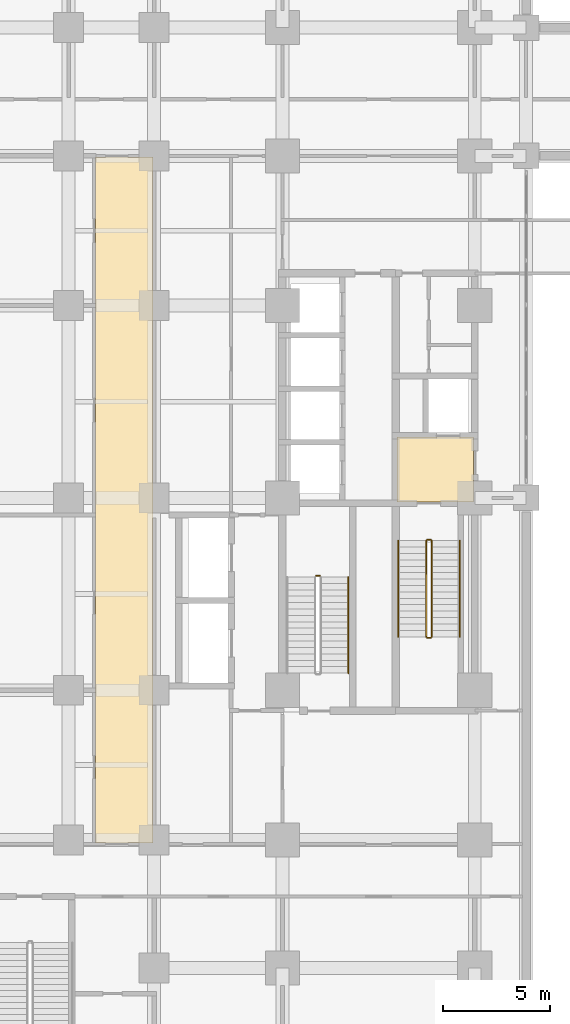
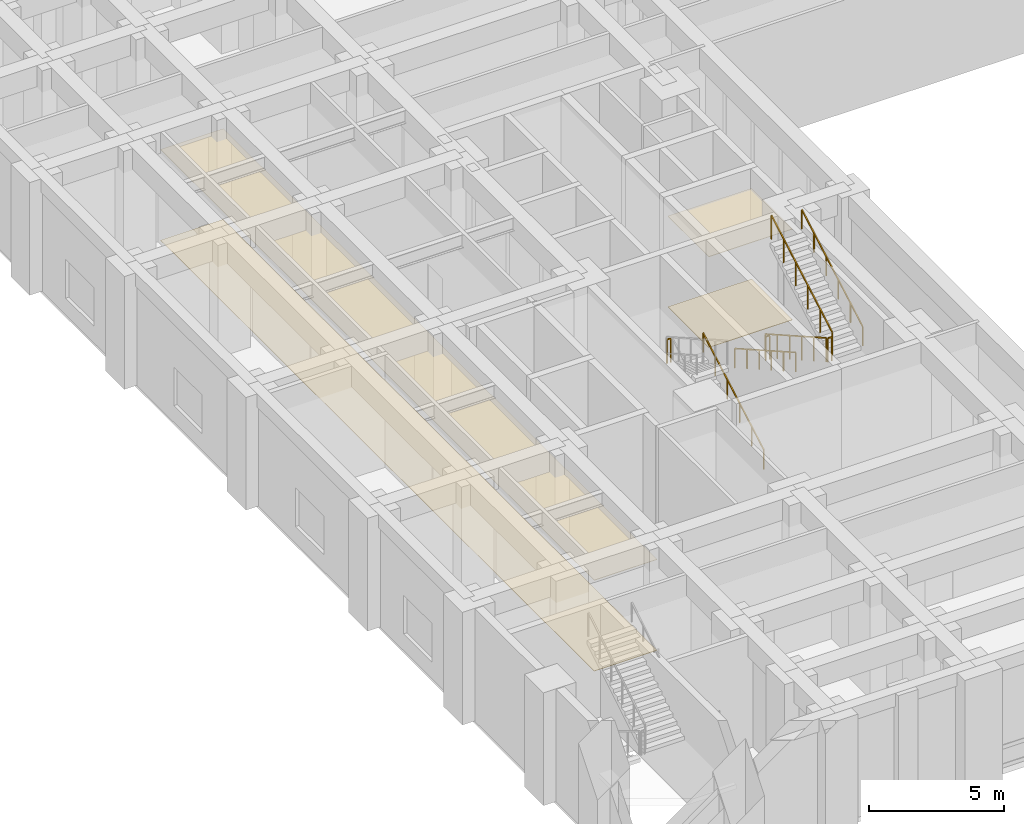
# One storey, part 17 of 21: 8 railings, 4 coverings.
"""IFC4 building model written with IfcOpenShell, lengths in metres."""

from ifc_helpers import new_model, si_unit, direction, frame, origin, origin_2d, place, context, subcontext, project, spatial, polyline, rectangle, outline, extrude, material, layer, layer_set, type_object, element, save


model = new_model("IFC4")

# Units and contexts
model_context = context("Model", 3, precision=1e-05, world=origin(), true_north=direction((0.0, 1.0)))
body_context = subcontext(model_context, "Body", "Model", "MODEL_VIEW")
ifc_project = project(units=[si_unit("LENGTHUNIT", "METRE"), si_unit("AREAUNIT", "SQUARE_METRE"), si_unit("VOLUMEUNIT", "CUBIC_METRE"), si_unit("PLANEANGLEUNIT", "RADIAN"), si_unit("MASSUNIT", "GRAM", prefix="KILO")], contexts=[model_context])

# Site, building, storey
site_placement = place(None, origin())
site = spatial("IfcSite", under=ifc_project, at=site_placement, CompositionType="ELEMENT")
building_placement = place(site_placement, origin())
building = spatial("IfcBuilding", under=site, at=building_placement, Name="Zulmaris Gate Convention Tower", CompositionType="ELEMENT")
storey_placement = place(building_placement, frame((0.0, 0.0, 5.43994140625)))
storey = spatial("IfcBuildingStorey", under=building, at=storey_placement, Name="L01", CompositionType="ELEMENT", Elevation=5.43994140625)

# Coverings
ifc_material_1 = material(Name="Mineral Fibre Acoustic Ceiling Tile")
ifc_layer_1 = layer(ifc_material_1, 0.02001953125, Name="Mineral Fibre Acoustic Ceiling Tile")
ifc_layer_set_1 = layer_set([ifc_layer_1], Name="Mineral Fibre Acoustic Ceiling Tile")
covering_type_1 = type_object("IfcCoveringType", Name="CLG-ACOUSTIC-600", PredefinedType="CEILING", material=ifc_layer_set_1)
covering_1_placement = place(storey_placement, frame((0.0, 0.0, 4.099853515625)))
element("IfcCovering", 1, at=covering_1_placement, inside=storey, type_object=covering_type_1, Name="CLG-L01-R03", PredefinedType="CEILING", context=body_context, shape_type="SweptSolid", body=[
    extrude(outline(polyline([(-14.639892578125, -0.18994140625), (-11.06005859375, -0.18994140625), (-11.06005859375, 2.840087890625), (-14.639892578125, 2.840087890625), (-14.639892578125, -0.18994140625)])), origin(), (0.0, 0.0, 1.0), 0.02001953125),
])
covering_2_placement = place(storey_placement, frame((0.0, 0.0, 4.099853515625)))
element("IfcCovering", 2, at=covering_2_placement, inside=storey, type_object=covering_type_1, Name="CLG-L01-R70", PredefinedType="CEILING", context=body_context, shape_type="SweptSolid", body=[
    extrude(outline(polyline([(-28.739990234375, -16.139892578125), (-26.06005859375, -16.139892578125), (-26.06005859375, 15.93994140625), (-28.739990234375, 15.93994140625), (-28.739990234375, -16.139892578125)])), origin(), (0.0, 0.0, 1.0), 0.02001953125),
])
ifc_material_2 = material(Name="Woven Acoustic Wool Carpet Tile")
ifc_layer_2 = layer(ifc_material_2, 0.02001953125, Name="Woven Acoustic Wool Carpet Tile")
ifc_layer_set_2 = layer_set([ifc_layer_2], Name="Woven Acoustic Wool Carpet Tile")
covering_type_2 = type_object("IfcCoveringType", Name="FLR-CARPET-12", PredefinedType="FLOORING", material=ifc_layer_set_2)
covering_3_placement = place(storey_placement, origin())
element("IfcCovering", 3, at=covering_3_placement, inside=storey, type_object=covering_type_2, Name="FLR-L01-R03", PredefinedType="FLOORING", context=body_context, shape_type="SweptSolid", body=[
    extrude(outline(polyline([(-14.639892578125, -0.18994140625), (-11.06005859375, -0.18994140625), (-11.06005859375, 2.840087890625), (-14.639892578125, 2.840087890625), (-14.639892578125, -0.18994140625)])), origin(), (0.0, 0.0, 1.0), 0.02001953125),
])
covering_4_placement = place(storey_placement, origin())
element("IfcCovering", 4, at=covering_4_placement, inside=storey, type_object=covering_type_2, Name="FLR-L01-R70", PredefinedType="FLOORING", context=body_context, shape_type="SweptSolid", body=[
    extrude(outline(polyline([(-28.739990234375, -16.139892578125), (-26.06005859375, -16.139892578125), (-26.06005859375, 15.93994140625), (-28.739990234375, 15.93994140625), (-28.739990234375, -16.139892578125)])), origin(), (0.0, 0.0, 1.0), 0.02001953125),
])

# Railings
ifc_material_3 = material(Name="Painted Galvanised Steel", Category="steel")
railing_type_1 = type_object("IfcRailingType", Name="RL-STG-1150", PredefinedType="GUARDRAIL", material=ifc_material_3)
railing_1_placement = place(storey_placement, frame((-13.27001953125, -2.0, 0.169921875)))
element("IfcRailing", 5, at=railing_1_placement, inside=storey, type_object=railing_type_1, Name="L01 ST-1 stair guard 1", PredefinedType="GUARDRAIL", context=body_context, shape_type="SweptSolid", body=[
    extrude(rectangle(XDim=0.048095703125, YDim=0.048095703125, at=origin_2d()), frame((0.0, 0.0, 1.076171875), z_axis=(0.0, -0.870018136573, 0.493019717692), x_axis=(1.0, 0.0, 0.0)), (0.0, 0.0, 1.0), 5.17236328125),
    extrude(rectangle(XDim=0.0419921875, YDim=0.0419921875, at=origin_2d()), origin(), (0.0, 0.0, 1.0), 1.052001953125),
    extrude(rectangle(XDim=0.0419921875, YDim=0.0419921875, at=origin_2d()), frame((0.0, -0.89990234375, 0.510009765625)), (0.0, 0.0, 1.0), 1.052001953125),
    extrude(rectangle(XDim=0.0419921875, YDim=0.0419921875, at=origin_2d()), frame((0.0, -1.800048828125, 1.02001953125)), (0.0, 0.0, 1.0), 1.052001953125),
    extrude(rectangle(XDim=0.0419921875, YDim=0.0419921875, at=origin_2d()), frame((0.0, -2.699951171875, 1.530029296875)), (0.0, 0.0, 1.0), 1.052001953125),
    extrude(rectangle(XDim=0.0419921875, YDim=0.0419921875, at=origin_2d()), frame((0.0, -3.60009765625, 2.0400390625)), (0.0, 0.0, 1.0), 1.052001953125),
    extrude(rectangle(XDim=0.0419921875, YDim=0.0419921875, at=origin_2d()), frame((0.0, -4.5, 2.550048828125)), (0.0, 0.0, 1.0), 1.052001953125),
])
railing_2_placement = place(storey_placement, frame((-13.219970703125, -6.550048828125, 2.719970703125)))
element("IfcRailing", 6, at=railing_2_placement, inside=storey, type_object=railing_type_1, Name="L01 ST-1 stair guard 2", PredefinedType="GUARDRAIL", context=body_context, shape_type="SweptSolid", body=[
    extrude(rectangle(XDim=0.048095703125, YDim=0.048095703125, at=origin_2d()), frame((0.0, 0.0, 1.076171875), z_axis=(1.0, 0.0, 0.0), x_axis=(0.0, 1.0, 0.0)), (0.0, 0.0, 1.0), 0.159912109375),
    extrude(rectangle(XDim=0.0419921875, YDim=0.0419921875, at=origin_2d()), origin(), (0.0, 0.0, 1.0), 1.052001953125),
    extrude(rectangle(XDim=0.0419921875, YDim=0.0419921875, at=origin_2d()), frame((0.159912109375, 0.0, 0.0)), (0.0, 0.0, 1.0), 1.052001953125),
])
railing_3_placement = place(storey_placement, frame((-13.010009765625, -6.5, 2.889892578125)))
element("IfcRailing", 7, at=railing_3_placement, inside=storey, type_object=railing_type_1, Name="L01 ST-1 stair guard 3", PredefinedType="GUARDRAIL", context=body_context, shape_type="SweptSolid", body=[
    extrude(rectangle(XDim=0.048095703125, YDim=0.048095703125, at=origin_2d()), frame((0.0, 0.0, 1.076171875), z_axis=(0.0, 0.870018136573, 0.493019717692), x_axis=(-1.0, 0.0, 0.0)), (0.0, 0.0, 1.0), 5.17236328125),
    extrude(rectangle(XDim=0.0419921875, YDim=0.0419921875, at=origin_2d()), origin(), (0.0, 0.0, 1.0), 1.052001953125),
    extrude(rectangle(XDim=0.0419921875, YDim=0.0419921875, at=origin_2d()), frame((0.0, 0.89990234375, 0.510009765625)), (0.0, 0.0, 1.0), 1.052001953125),
    extrude(rectangle(XDim=0.0419921875, YDim=0.0419921875, at=origin_2d()), frame((0.0, 1.800048828125, 1.02001953125)), (0.0, 0.0, 1.0), 1.052001953125),
    extrude(rectangle(XDim=0.0419921875, YDim=0.0419921875, at=origin_2d()), frame((0.0, 2.699951171875, 1.530029296875)), (0.0, 0.0, 1.0), 1.052001953125),
    extrude(rectangle(XDim=0.0419921875, YDim=0.0419921875, at=origin_2d()), frame((0.0, 3.60009765625, 2.0400390625)), (0.0, 0.0, 1.0), 1.052001953125),
    extrude(rectangle(XDim=0.0419921875, YDim=0.0419921875, at=origin_2d()), frame((0.0, 4.5, 2.550048828125)), (0.0, 0.0, 1.0), 1.052001953125),
])
railing_4_placement = place(storey_placement, frame((-13.219970703125, -1.949951171875, 0.0)))
element("IfcRailing", 8, at=railing_4_placement, inside=storey, type_object=railing_type_1, Name="L01 ST-1 stair guard 4", PredefinedType="GUARDRAIL", context=body_context, shape_type="SweptSolid", body=[
    extrude(rectangle(XDim=0.048095703125, YDim=0.048095703125, at=origin_2d()), frame((0.0, 0.0, 1.076171875), z_axis=(1.0, 0.0, 0.0), x_axis=(0.0, 1.0, 0.0)), (0.0, 0.0, 1.0), 0.159912109375),
    extrude(rectangle(XDim=0.0419921875, YDim=0.0419921875, at=origin_2d()), origin(), (0.0, 0.0, 1.0), 1.052001953125),
    extrude(rectangle(XDim=0.0419921875, YDim=0.0419921875, at=origin_2d()), frame((0.159912109375, 0.0, 0.0)), (0.0, 0.0, 1.0), 1.052001953125),
])
railing_5_placement = place(storey_placement, frame((-18.260009765625, -3.64990234375, 2.719970703125)))
element("IfcRailing", 9, at=railing_5_placement, inside=storey, type_object=railing_type_1, Name="L01 ST-3 stair guard 2", PredefinedType="GUARDRAIL", context=body_context, shape_type="SweptSolid", body=[
    extrude(rectangle(XDim=0.048095703125, YDim=0.048095703125, at=origin_2d()), frame((0.0, 0.0, 1.076171875), z_axis=(-1.0, 0.0, 0.0), x_axis=(0.0, -1.0, 0.0)), (0.0, 0.0, 1.0), 0.159912109375),
    extrude(rectangle(XDim=0.0419921875, YDim=0.0419921875, at=origin_2d()), origin(), (0.0, 0.0, 1.0), 1.052001953125),
    extrude(rectangle(XDim=0.0419921875, YDim=0.0419921875, at=origin_2d()), frame((-0.159912109375, 0.0, 0.0)), (0.0, 0.0, 1.0), 1.052001953125),
])
ifc_material_4 = material(Name="Brushed Stainless Steel", Category="steel")
railing_type_2 = type_object("IfcRailingType", Name="RL-STH-900", PredefinedType="HANDRAIL", material=ifc_material_4)
railing_6_placement = place(storey_placement, frame((-14.570068359375, -2.0, 0.169921875)))
element("IfcRailing", 10, at=railing_6_placement, inside=storey, type_object=railing_type_2, Name="L01 ST-1 stair handrail 1", PredefinedType="HANDRAIL", context=body_context, shape_type="SweptSolid", body=[
    extrude(rectangle(XDim=0.048095703125, YDim=0.048095703125, at=origin_2d()), frame((0.0, 0.0, 0.8759765625), z_axis=(0.0, -0.870018136573, 0.493019717692), x_axis=(1.0, 0.0, 0.0)), (0.0, 0.0, 1.0), 5.17236328125),
    extrude(rectangle(XDim=0.0419921875, YDim=0.0419921875, at=origin_2d()), origin(), (0.0, 0.0, 1.0), 0.851806640625),
    extrude(rectangle(XDim=0.0419921875, YDim=0.0419921875, at=origin_2d()), frame((0.0, -0.89990234375, 0.510009765625)), (0.0, 0.0, 1.0), 0.851806640625),
    extrude(rectangle(XDim=0.0419921875, YDim=0.0419921875, at=origin_2d()), frame((0.0, -1.800048828125, 1.02001953125)), (0.0, 0.0, 1.0), 0.851806640625),
    extrude(rectangle(XDim=0.0419921875, YDim=0.0419921875, at=origin_2d()), frame((0.0, -2.699951171875, 1.530029296875)), (0.0, 0.0, 1.0), 0.851806640625),
    extrude(rectangle(XDim=0.0419921875, YDim=0.0419921875, at=origin_2d()), frame((0.0, -3.60009765625, 2.0400390625)), (0.0, 0.0, 1.0), 0.851806640625),
    extrude(rectangle(XDim=0.0419921875, YDim=0.0419921875, at=origin_2d()), frame((0.0, -4.5, 2.550048828125)), (0.0, 0.0, 1.0), 0.851806640625),
])
for number, where, name in (
    (11, (-11.7099609375, -6.5, 2.889892578125), "L01 ST-1 stair handrail 2"),
    (12, (-16.909912109375, -8.199951171875, 0.169921875), "L01 ST-3 stair handrail 1"),
):
    element("IfcRailing", number, at=place(storey_placement, frame(where)), inside=storey, type_object=railing_type_2, Name=name, PredefinedType="HANDRAIL", context=body_context, shape_type="SweptSolid", body=[
        extrude(rectangle(XDim=0.048095703125, YDim=0.048095703125, at=origin_2d()), frame((0.0, 0.0, 0.8759765625), z_axis=(0.0, 0.870018136573, 0.493019717692), x_axis=(-1.0, 0.0, 0.0)), (0.0, 0.0, 1.0), 5.17236328125),
        extrude(rectangle(XDim=0.0419921875, YDim=0.0419921875, at=origin_2d()), origin(), (0.0, 0.0, 1.0), 0.851806640625),
        extrude(rectangle(XDim=0.0419921875, YDim=0.0419921875, at=origin_2d()), frame((0.0, 0.89990234375, 0.510009765625)), (0.0, 0.0, 1.0), 0.851806640625),
        extrude(rectangle(XDim=0.0419921875, YDim=0.0419921875, at=origin_2d()), frame((0.0, 1.800048828125, 1.02001953125)), (0.0, 0.0, 1.0), 0.851806640625),
        extrude(rectangle(XDim=0.0419921875, YDim=0.0419921875, at=origin_2d()), frame((0.0, 2.699951171875, 1.530029296875)), (0.0, 0.0, 1.0), 0.851806640625),
        extrude(rectangle(XDim=0.0419921875, YDim=0.0419921875, at=origin_2d()), frame((0.0, 3.60009765625, 2.0400390625)), (0.0, 0.0, 1.0), 0.851806640625),
        extrude(rectangle(XDim=0.0419921875, YDim=0.0419921875, at=origin_2d()), frame((0.0, 4.5, 2.550048828125)), (0.0, 0.0, 1.0), 0.851806640625),
    ])

save(model, "model.ifc")
